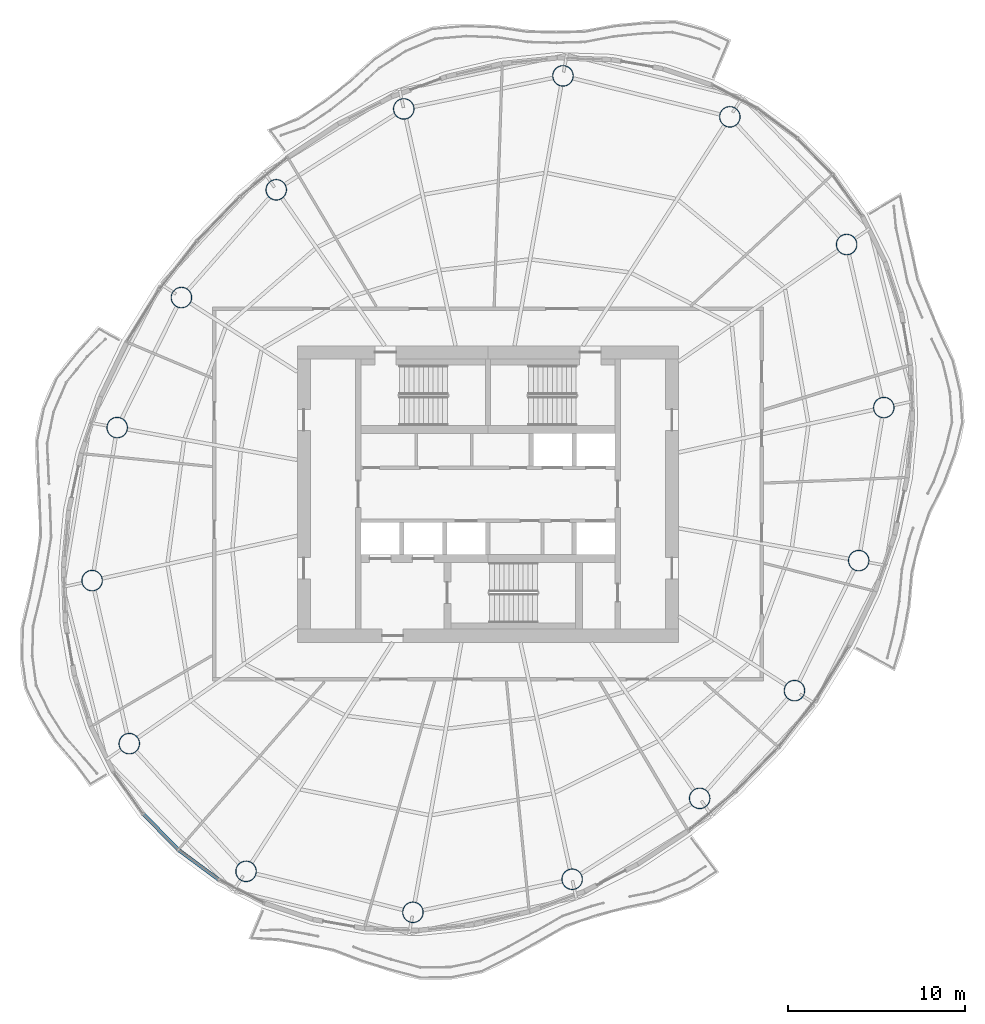
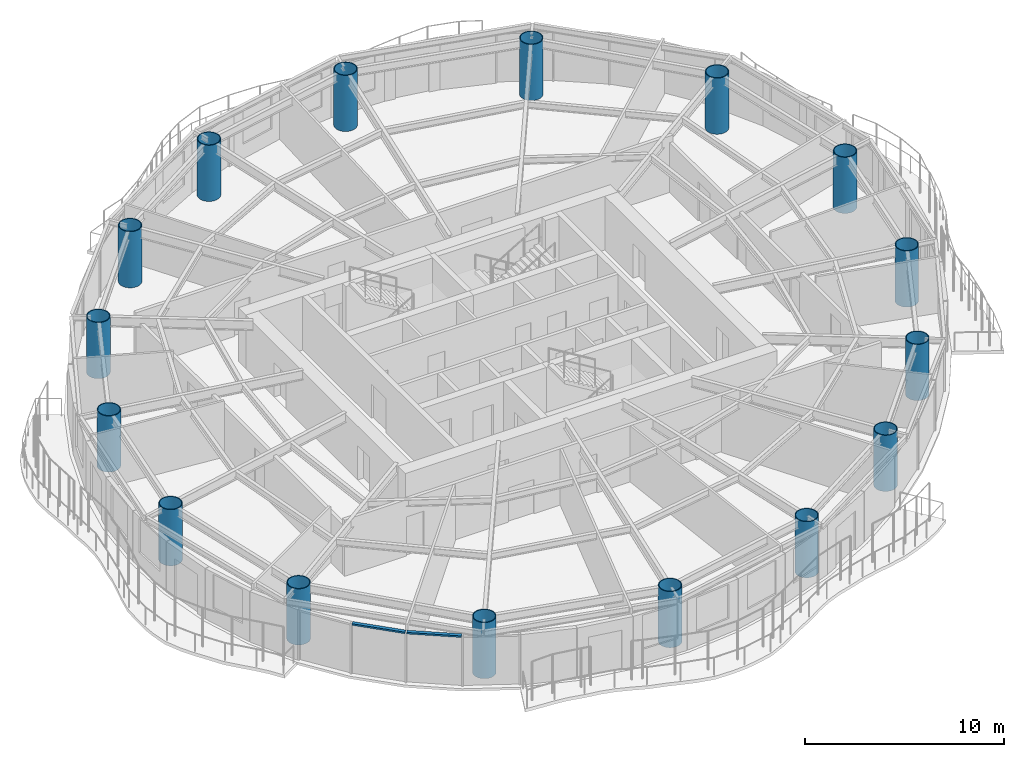
# One storey, part 1 of 14: 16 columns, 2 members, 2 elements without a shape of their own.
"""IFC4 building model written with IfcOpenShell, lengths in metres."""

from ifc_helpers import new_model, si_unit, direction, frame, origin, origin_2d, place, context, subcontext, project, spatial, rectangle, hollow_circle, extrude, material, material_profile, profile_set, type_object, element, aggregate, save


model = new_model("IFC4")

# Units and contexts
model_context = context("Model", 3, precision=1e-05, world=origin(), true_north=direction((0.0, 1.0)))
body_context = subcontext(model_context, "Body", "Model", "MODEL_VIEW")
ifc_project = project(units=[si_unit("LENGTHUNIT", "METRE"), si_unit("AREAUNIT", "SQUARE_METRE"), si_unit("VOLUMEUNIT", "CUBIC_METRE"), si_unit("PLANEANGLEUNIT", "RADIAN"), si_unit("MASSUNIT", "GRAM", prefix="KILO")], contexts=[model_context])

# Site, building, storey
site_placement = place(None, origin())
site = spatial("IfcSite", under=ifc_project, at=site_placement, CompositionType="ELEMENT")
building_placement = place(site_placement, origin())
building = spatial("IfcBuilding", under=site, at=building_placement, Name="Vermilion Reach Broadcast Tower", CompositionType="ELEMENT")
storey_placement = place(building_placement, frame((0.0, 0.0, 228.10009765625)))
storey = spatial("IfcBuildingStorey", under=building, at=storey_placement, Name="L56", CompositionType="ELEMENT", Elevation=228.10009765625)

# Columns
ifc_material_1 = material(Name="Concrete C60 infill in steel S460NL tube", Category="concrete")
ifc_material_profile_1 = material_profile(ifc_material_1, hollow_circle(Radius=0.60009765625, WallThickness=0.044921875, at=origin_2d()), Name="Concrete C60 infill in steel S460NL tube CFT 1200x45")
ifc_profile_set_1 = profile_set([ifc_material_profile_1], Name="Concrete C60 infill in steel S460NL tube")
column_type = type_object("IfcColumnType", Name="MC4 CFT 1200x45", PredefinedType="COLUMN", material=ifc_profile_set_1)
for number, where, z_axis, x_axis, name in (
    (1, (7.70361328125, 21.3701171875, 0.0), (0.0, 0.0, 1.0), (1.0, 0.0, 0.0), "Mega-column MC4-01"),
    (2, (-1.75, 23.691162109375, 0.0), (0.0, 0.0, 1.0), (1.0, 0.0, 0.0), "Mega-column MC4-02"),
    (3, (-10.769287109375, 21.818603515625, 0.0), (0.0, 0.0, 1.0), (1.0, 0.0, 0.0), "Mega-column MC4-03"),
    (4, (-17.993408203125, 17.23681640625, 0.0), (0.0, 0.0, 1.0), (1.0, 0.0, 0.0), "Mega-column MC4-04"),
    (5, (-23.36279296875, 11.134033203125, 0.0), (0.0, 0.0, 1.0), (1.0, 0.0, 0.0), "Mega-column MC4-05"),
    (6, (-27.002685546875, 3.767578125, 0.0), (0.0, 0.0, 1.0), (1.0, 0.0, 0.0), "Mega-column MC4-06"),
    (7, (-28.423828125, -4.9013671875, 0.0), (0.0, 0.0, 1.0), (1.0, 0.0, 0.0), "Mega-column MC4-07"),
    (8, (-26.318115234375, -14.13720703125, 0.0), (0.0, 0.0, 1.0), (1.0, 0.0, 0.0), "Mega-column MC4-08"),
    (9, (-19.70361328125, -21.3701171875, 0.0), (0.0, 0.0, 1.0), (1.0, 0.0, 0.0), "Mega-column MC4-09"),
    (10, (-10.25, -23.691162109375, 0.0), (0.0, 0.0, 1.0), (1.0, 0.0, 0.0), "Mega-column MC4-10"),
    (11, (-1.230712890625, -21.818603515625, 0.0), (0.0, 0.0, 1.0), (1.0, 0.0, 0.0), "Mega-column MC4-11"),
    (12, (5.993408203125, -17.23681640625, 0.0), (0.0, 0.0, 1.0), (1.0, 0.0, 0.0), "Mega-column MC4-12"),
    (13, (11.36279296875, -11.134033203125, 0.0), (0.0, 0.0, 1.0), (1.0, 0.0, 0.0), "Mega-column MC4-13"),
    (14, (15.002685546875, -3.767578125, 0.0), (0.0, 0.0, 1.0), (1.0, 0.0, 0.0), "Mega-column MC4-14"),
    (15, (16.423828125, 4.9013671875, 0.0), (0.0, 0.0, 1.0), (1.0, 0.0, 0.0), "Mega-column MC4-15"),
    (16, (14.318115234375, 14.13720703125, 0.0), (0.0, 0.0, 1.0), (1.0, 0.0, 0.0), "Mega-column MC4-16"),
):
    element("IfcColumn", number, at=place(storey_placement, frame(where, z_axis=z_axis, x_axis=x_axis)), inside=storey, type_object=column_type, Name=name, PredefinedType="COLUMN", context=body_context, shape_type="SweptSolid", body=[
        extrude(hollow_circle(Radius=0.60009765625, WallThickness=0.044921875, at=origin_2d()), origin(), (0.0, 0.0, 1.0), 3.449951171875),
    ])

# Curtain wall, member
ifc_material_2 = material(Name="Low-e laminated clear glass in aluminium frame", Category="aluminium")
curtain_wall_type = type_object("IfcCurtainWallType", Name="Slot curtain wall", PredefinedType="NOTDEFINED", material=ifc_material_2)
placement = place(storey_placement, origin())
curtain_wall_1 = element("IfcCurtainWall", 17, at=placement, inside=storey, type_object=curtain_wall_type, Name="Slot curtain wall L56 23", PredefinedType="NOTDEFINED")
ifc_material_3 = material(Name="Anodised aluminium", Category="aluminium")
ifc_material_profile_2 = material_profile(ifc_material_3, rectangle(XDim=0.199951171875, YDim=0.10009765625, at=origin_2d()), Name="Slot transom 200 x 100")
ifc_profile_set_2 = profile_set([ifc_material_profile_2], Name="Anodised aluminium")
member_type = type_object("IfcMemberType", Name="Slot transom 200 x 100", PredefinedType="USERDEFINED", material=ifc_profile_set_2)
member_1_placement = place(storey_placement, frame((-25.50537109375, -18.139404296875, 3.0498046875), z_axis=(0.699488898895, -0.714643463779, 0.0), x_axis=(0.714643463779, 0.699488898895, 0.0)))
member_1 = element("IfcMember", 18, at=member_1_placement, type_object=member_type, Name="Slot transom L56 23.1", ObjectType="TRANSOM", PredefinedType="USERDEFINED", context=body_context, shape_type="SweptSolid", body=[
    extrude(rectangle(XDim=0.199951171875, YDim=0.10009765625, at=origin_2d()), origin(), (0.0, 0.0, 1.0), 2.77099609375),
])
aggregate(curtain_wall_1, [member_1])

curtain_wall_2 = element("IfcCurtainWall", 19, at=placement, inside=storey, type_object=curtain_wall_type, Name="Slot curtain wall L56 24", PredefinedType="NOTDEFINED")
member_2_placement = place(storey_placement, frame((-23.507080078125, -20.171875, 3.0498046875), z_axis=(0.804220088747, -0.5943315984, 0.0), x_axis=(0.5943315984, 0.804220088747, 0.0)))
member_2 = element("IfcMember", 20, at=member_2_placement, type_object=member_type, Name="Slot transom L56 24.1", ObjectType="TRANSOM", PredefinedType="USERDEFINED", context=body_context, shape_type="SweptSolid", body=[
    extrude(rectangle(XDim=0.199951171875, YDim=0.10009765625, at=origin_2d()), origin(), (0.0, 0.0, 1.0), 2.770751953125),
])
aggregate(curtain_wall_2, [member_2])

save(model, "model.ifc")
